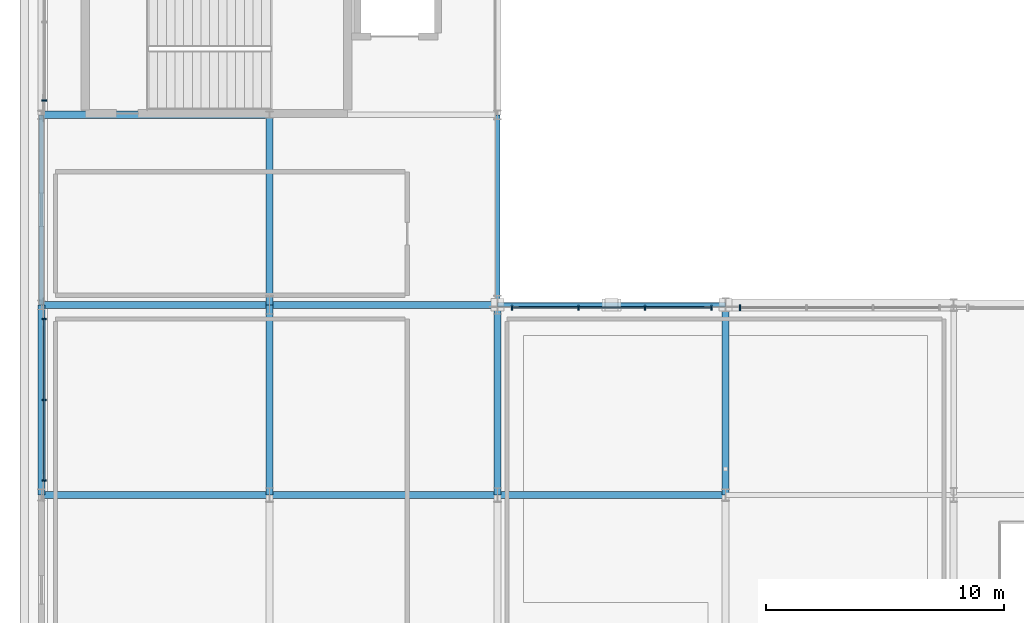
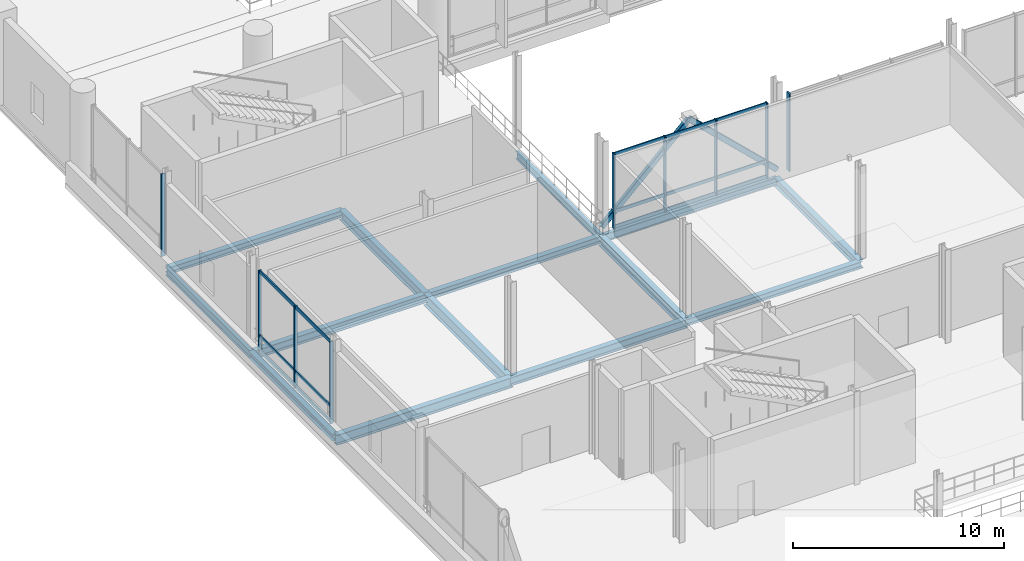
# One storey, part 31 of 129: 17 members, 14 beams, 4 elements without a shape of their own.
"""IFC4 building model written with IfcOpenShell, lengths in metres."""

from ifc_helpers import new_model, si_unit, direction, frame, origin, origin_2d, place, context, subcontext, project, spatial, rectangle, hollow_rectangle, i_section, extrude, material, material_profile, profile_set, type_object, element, aggregate, save


model = new_model("IFC4")

# Units and contexts
model_context = context("Model", 3, precision=1e-05, world=origin(), true_north=direction((0.0, 1.0)))
body_context = subcontext(model_context, "Body", "Model", "MODEL_VIEW")
ifc_project = project(units=[si_unit("LENGTHUNIT", "METRE"), si_unit("AREAUNIT", "SQUARE_METRE"), si_unit("VOLUMEUNIT", "CUBIC_METRE"), si_unit("PLANEANGLEUNIT", "RADIAN"), si_unit("MASSUNIT", "GRAM", prefix="KILO")], contexts=[model_context])

# Site, building, storey
site_placement = place(None, origin())
site = spatial("IfcSite", under=ifc_project, at=site_placement, CompositionType="ELEMENT")
building_placement = place(site_placement, origin())
building = spatial("IfcBuilding", under=site, at=building_placement, Name="Danafjord Basin Convention Centre", CompositionType="ELEMENT")
storey_placement = place(building_placement, frame((0.0, 0.0, 6.0)))
storey = spatial("IfcBuildingStorey", under=building, at=storey_placement, Name="L01", CompositionType="ELEMENT", Elevation=6.0)

# Beams
ifc_material_1 = material(Name="Steel S355", Category="steel")
ifc_material_profile_1 = material_profile(ifc_material_1, i_section(OverallWidth=0.300048828125, OverallDepth=0.389892578125, WebThickness=0.010986328125, FlangeThickness=0.01904296875, FilletRadius=0.027099609375, at=origin_2d()), Name="HEA 400")
ifc_profile_set_1 = profile_set([ifc_material_profile_1], Name="Steel S355")
beam_type_1 = type_object("IfcBeamType", Name="BEAM-BM-HEA400", PredefinedType="BEAM", material=ifc_profile_set_1)
beam_1_placement = place(storey_placement, frame((0.0, 48.0, -0.425048828125), z_axis=(1.0, 0.0, 0.0), x_axis=(0.0, 1.0, 0.0)))
element("IfcBeam", 1, at=beam_1_placement, inside=storey, type_object=beam_type_1, Name="L01 girder BM-HEA400", PredefinedType="BEAM", context=body_context, shape_type="SweptSolid", body=[
    extrude(i_section(OverallWidth=0.300048828125, OverallDepth=0.389892578125, WebThickness=0.010986328125, FlangeThickness=0.01904296875, FilletRadius=0.027099609375, at=origin_2d()), origin(), (0.0, 0.0, 1.0), 9.60009765625),
])
beam_2_placement = place(storey_placement, frame((9.60009765625, 40.0, -0.425048828125), z_axis=(1.0, 0.0, 0.0), x_axis=(0.0, 1.0, 0.0)))
element("IfcBeam", 2, at=beam_2_placement, inside=storey, type_object=beam_type_1, Name="L01 girder BM-HEA400", PredefinedType="BEAM", context=body_context, shape_type="SweptSolid", body=[
    extrude(i_section(OverallWidth=0.300048828125, OverallDepth=0.389892578125, WebThickness=0.010986328125, FlangeThickness=0.01904296875, FilletRadius=0.027099609375, at=origin_2d()), origin(), (0.0, 0.0, 1.0), 9.599853515625),
])
beam_3_placement = place(storey_placement, frame((19.199951171875, 32.0, -0.425048828125), z_axis=(1.0, 0.0, 0.0), x_axis=(0.0, 1.0, 0.0)))
element("IfcBeam", 3, at=beam_3_placement, inside=storey, type_object=beam_type_1, Name="L01 girder BM-HEA400", PredefinedType="BEAM", context=body_context, shape_type="SweptSolid", body=[
    extrude(i_section(OverallWidth=0.300048828125, OverallDepth=0.389892578125, WebThickness=0.010986328125, FlangeThickness=0.01904296875, FilletRadius=0.027099609375, at=origin_2d()), origin(), (0.0, 0.0, 1.0), 9.60009765625),
])
ifc_material_profile_2 = material_profile(ifc_material_1, i_section(OverallWidth=0.300048828125, OverallDepth=0.489990234375, WebThickness=0.011962890625, FlangeThickness=0.02294921875, FilletRadius=0.027099609375, at=origin_2d()), Name="HEA 500")
ifc_profile_set_2 = profile_set([ifc_material_profile_2], Name="Steel S355")
beam_type_2 = type_object("IfcBeamType", Name="BEAM-BM-HEA500", PredefinedType="BEAM", material=ifc_profile_set_2)
beam_4_placement = place(storey_placement, frame((0.0, 40.0, -0.47509765625), z_axis=(1.0, 0.0, 0.0), x_axis=(0.0, 1.0, 0.0)))
element("IfcBeam", 4, at=beam_4_placement, inside=storey, type_object=beam_type_2, Name="L01 girder BM-HEA500", PredefinedType="BEAM", context=body_context, shape_type="SweptSolid", body=[
    extrude(i_section(OverallWidth=0.300048828125, OverallDepth=0.489990234375, WebThickness=0.011962890625, FlangeThickness=0.02294921875, FilletRadius=0.027099609375, at=origin_2d()), origin(), (0.0, 0.0, 1.0), 9.60009765625),
])
beam_5_placement = place(storey_placement, frame((9.60009765625, 32.0, -0.47509765625), z_axis=(1.0, 0.0, 0.0), x_axis=(0.0, 1.0, 0.0)))
element("IfcBeam", 5, at=beam_5_placement, inside=storey, type_object=beam_type_2, Name="L01 girder BM-HEA500", PredefinedType="BEAM", context=body_context, shape_type="SweptSolid", body=[
    extrude(i_section(OverallWidth=0.300048828125, OverallDepth=0.489990234375, WebThickness=0.011962890625, FlangeThickness=0.02294921875, FilletRadius=0.027099609375, at=origin_2d()), origin(), (0.0, 0.0, 1.0), 9.599853515625),
])
ifc_material_profile_3 = material_profile(ifc_material_1, i_section(OverallWidth=0.300048828125, OverallDepth=0.590087890625, WebThickness=0.012939453125, FlangeThickness=0.02490234375, FilletRadius=0.027099609375, at=origin_2d()), Name="HEA 600")
ifc_profile_set_3 = profile_set([ifc_material_profile_3], Name="Steel S355")
beam_type_3 = type_object("IfcBeamType", Name="BEAM-BM-HEA600", PredefinedType="BEAM", material=ifc_profile_set_3)
beam_6_placement = place(storey_placement, frame((0.0, 32.0, -0.52490234375), z_axis=(1.0, 0.0, 0.0), x_axis=(0.0, 1.0, 0.0)))
element("IfcBeam", 6, at=beam_6_placement, inside=storey, type_object=beam_type_3, Name="L01 girder BM-HEA600", PredefinedType="BEAM", context=body_context, shape_type="SweptSolid", body=[
    extrude(i_section(OverallWidth=0.300048828125, OverallDepth=0.590087890625, WebThickness=0.012939453125, FlangeThickness=0.02490234375, FilletRadius=0.027099609375, at=origin_2d()), origin(), (0.0, 0.0, 1.0), 9.60009765625),
])
ifc_material_profile_4 = material_profile(ifc_material_1, i_section(OverallWidth=0.300048828125, OverallDepth=0.5, WebThickness=0.014404296875, FlangeThickness=0.028076171875, FilletRadius=0.027099609375, at=origin_2d()), Name="HEB 500")
ifc_profile_set_4 = profile_set([ifc_material_profile_4], Name="Steel S355")
beam_type_4 = type_object("IfcBeamType", Name="BEAM-BM-HEB500", PredefinedType="BEAM", material=ifc_profile_set_4)
beam_7_placement = place(storey_placement, frame((28.800048828125, 32.0, -0.47998046875), z_axis=(0.0, 1.0, 0.0), x_axis=(-1.0, 0.0, 0.0)))
element("IfcBeam", 7, at=beam_7_placement, inside=storey, type_object=beam_type_4, Name="L01 transverse girder BM-HEB500", PredefinedType="BEAM", context=body_context, shape_type="SweptSolid", body=[
    extrude(i_section(OverallWidth=0.300048828125, OverallDepth=0.5, WebThickness=0.014404296875, FlangeThickness=0.028076171875, FilletRadius=0.027099609375, at=origin_2d()), origin(), (0.0, 0.0, 1.0), 8.0),
])
ifc_material_profile_5 = material_profile(ifc_material_1, i_section(OverallWidth=0.300048828125, OverallDepth=0.60009765625, WebThickness=0.015380859375, FlangeThickness=0.030029296875, FilletRadius=0.027099609375, at=origin_2d()), Name="HEB 600")
ifc_profile_set_5 = profile_set([ifc_material_profile_5], Name="Steel S355")
beam_type_5 = type_object("IfcBeamType", Name="BEAM-BM-HEB600", PredefinedType="BEAM", material=ifc_profile_set_5)
for number, where, z_axis, x_axis, name in (
    (8, (9.60009765625, 40.0, -0.530029296875), (0.0, 1.0, 0.0), (-1.0, 0.0, 0.0), "L01 transverse girder BM-HEB600"),
    (9, (19.199951171875, 32.0, -0.530029296875), (0.0, 1.0, 0.0), (-1.0, 0.0, 0.0), "L01 transverse girder BM-HEB600"),
):
    element("IfcBeam", number, at=place(storey_placement, frame(where, z_axis=z_axis, x_axis=x_axis)), inside=storey, type_object=beam_type_5, Name=name, PredefinedType="BEAM", context=body_context, shape_type="SweptSolid", body=[
        extrude(i_section(OverallWidth=0.300048828125, OverallDepth=0.60009765625, WebThickness=0.015380859375, FlangeThickness=0.030029296875, FilletRadius=0.027099609375, at=origin_2d()), origin(), (0.0, 0.0, 1.0), 8.0),
    ])
ifc_material_profile_6 = material_profile(ifc_material_1, i_section(OverallWidth=0.300048828125, OverallDepth=0.699951171875, WebThickness=0.01708984375, FlangeThickness=0.031982421875, FilletRadius=0.027099609375, at=origin_2d()), Name="HEB 700")
ifc_profile_set_6 = profile_set([ifc_material_profile_6], Name="Steel S355")
beam_type_6 = type_object("IfcBeamType", Name="BEAM-BM-HEB700", PredefinedType="BEAM", material=ifc_profile_set_6)
beam_8_placement = place(storey_placement, frame((9.60009765625, 32.0, -0.580078125), z_axis=(0.0, 1.0, 0.0), x_axis=(-1.0, 0.0, 0.0)))
element("IfcBeam", 10, at=beam_8_placement, inside=storey, type_object=beam_type_6, Name="L01 transverse girder BM-HEB700", PredefinedType="BEAM", context=body_context, shape_type="SweptSolid", body=[
    extrude(i_section(OverallWidth=0.300048828125, OverallDepth=0.699951171875, WebThickness=0.01708984375, FlangeThickness=0.031982421875, FilletRadius=0.027099609375, at=origin_2d()), origin(), (0.0, 0.0, 1.0), 8.0),
])
ifc_material_profile_7 = material_profile(ifc_material_1, i_section(OverallWidth=0.300048828125, OverallDepth=0.39990234375, WebThickness=0.013427734375, FlangeThickness=0.02392578125, FilletRadius=0.027099609375, at=origin_2d()), Name="HEB 400")
ifc_profile_set_7 = profile_set([ifc_material_profile_7], Name="Steel S355")
beam_type_7 = type_object("IfcBeamType", Name="BEAM-SP-HEB400", PredefinedType="SPANDREL", material=ifc_profile_set_7)
beam_9_placement = place(storey_placement, frame((0.0, 32.0, -0.429931640625), z_axis=(0.0, 1.0, 0.0), x_axis=(-1.0, 0.0, 0.0)))
element("IfcBeam", 11, at=beam_9_placement, inside=storey, type_object=beam_type_7, Name="L01 transverse girder SP-HEB400", PredefinedType="SPANDREL", context=body_context, shape_type="SweptSolid", body=[
    extrude(i_section(OverallWidth=0.300048828125, OverallDepth=0.39990234375, WebThickness=0.013427734375, FlangeThickness=0.02392578125, FilletRadius=0.027099609375, at=origin_2d()), origin(), (0.0, 0.0, 1.0), 8.0),
])
ifc_material_profile_8 = material_profile(ifc_material_1, i_section(OverallWidth=0.18994140625, OverallDepth=0.449951171875, WebThickness=0.009521484375, FlangeThickness=0.0146484375, FilletRadius=0.02099609375, at=origin_2d()), Name="IPE 450")
ifc_profile_set_8 = profile_set([ifc_material_profile_8], Name="Steel S355")
beam_type_8 = type_object("IfcBeamType", Name="BEAM-SP-IPE450", PredefinedType="SPANDREL", material=ifc_profile_set_8)
beam_10_placement = place(storey_placement, frame((19.199951171875, 40.0, -0.455078125), z_axis=(1.0, 0.0, 0.0), x_axis=(0.0, 1.0, 0.0)))
element("IfcBeam", 12, at=beam_10_placement, inside=storey, type_object=beam_type_8, Name="L01 girder SP-IPE450", PredefinedType="SPANDREL", context=body_context, shape_type="SweptSolid", body=[
    extrude(i_section(OverallWidth=0.18994140625, OverallDepth=0.449951171875, WebThickness=0.009521484375, FlangeThickness=0.0146484375, FilletRadius=0.02099609375, at=origin_2d()), origin(), (0.0, 0.0, 1.0), 9.60009765625),
])
for number, where, z_axis, x_axis, name in (
    (13, (0.0, 40.0, -0.455078125), (0.0, 1.0, 0.0), (-1.0, 0.0, 0.0), "L01 transverse girder SP-IPE450"),
    (14, (19.199951171875, 40.0, -0.455078125), (0.0, 1.0, 0.0), (-1.0, 0.0, 0.0), "L01 transverse girder SP-IPE450"),
):
    element("IfcBeam", number, at=place(storey_placement, frame(where, z_axis=z_axis, x_axis=x_axis)), inside=storey, type_object=beam_type_8, Name=name, PredefinedType="SPANDREL", context=body_context, shape_type="SweptSolid", body=[
        extrude(i_section(OverallWidth=0.18994140625, OverallDepth=0.449951171875, WebThickness=0.009521484375, FlangeThickness=0.0146484375, FilletRadius=0.02099609375, at=origin_2d()), origin(), (0.0, 0.0, 1.0), 8.0),
    ])

# Members
ifc_material_profile_9 = material_profile(ifc_material_1, hollow_rectangle(XDim=0.199951171875, YDim=0.300048828125, WallThickness=0.012451171875, InnerFilletRadius=0.018798828125, OuterFilletRadius=0.03125, at=origin_2d()), Name="RHS 300x200x12.5")
ifc_profile_set_9 = profile_set([ifc_material_profile_9], Name="Steel S355")
member_type_1 = type_object("IfcMemberType", Name="MEM-BRR-300", PredefinedType="BRACE", material=ifc_profile_set_9)
for number, where, z_axis, x_axis, name in (
    (15, (19.199951171875, 40.0, 0.199951171875), (0.721984383394, 0.0, 0.691909351097), (0.0, 1.0, 0.0), "Diagonal brace BRR-300 (L01 braced frame BF-02 diagonal A)"),
    (16, (28.800048828125, 40.0, 0.199951171875), (-0.721984383394, 0.0, 0.691909351097), (0.0, -1.0, 0.0), "Diagonal brace BRR-300 (L01 braced frame BF-02 diagonal B)"),
):
    element("IfcMember", number, at=place(storey_placement, frame(where, z_axis=z_axis, x_axis=x_axis)), inside=storey, type_object=member_type_1, Name=name, PredefinedType="BRACE", context=body_context, shape_type="SweptSolid", body=[
        extrude(hollow_rectangle(XDim=0.199951171875, YDim=0.300048828125, WallThickness=0.012451171875, InnerFilletRadius=0.018798828125, OuterFilletRadius=0.03125, at=origin_2d()), origin(), (0.0, 0.0, 1.0), 6.6484375),
    ])

# Curtain wall, members
ifc_material_2 = material(Name="Anodised aluminium and triple glazing", Category="aluminium")
curtain_wall_type = type_object("IfcCurtainWallType", Name="CW-CW-TERR", PredefinedType="NOTDEFINED", material=ifc_material_2)
curtain_wall_1_placement = place(storey_placement, origin())
curtain_wall_1 = element("IfcCurtainWall", 17, at=curtain_wall_1_placement, inside=storey, type_object=curtain_wall_type, Name="L01 CW-TERR unitised curtain wall bay 56", PredefinedType="NOTDEFINED")
ifc_material_3 = material(Name="Anodised aluminium EN AW-6060", Category="aluminium")
ifc_material_profile_10 = material_profile(ifc_material_3, rectangle(XDim=0.06005859375, YDim=0.179931640625, at=origin_2d()), Name="MULL 60x180")
ifc_profile_set_10 = profile_set([ifc_material_profile_10], Name="Anodised aluminium EN AW-6060")
member_type_2 = type_object("IfcMemberType", Name="MEM-ML-180", PredefinedType="MULLION", material=ifc_profile_set_10)
member_1_placement = place(storey_placement, frame((0.1201171875, 39.39990234375, -0.02490234375), z_axis=(0.0, 0.0, 1.0), x_axis=(0.0, -1.0, 0.0)))
member_1 = element("IfcMember", 18, at=member_1_placement, type_object=member_type_2, Name="CW-L01-056 mullion 1", PredefinedType="MULLION", context=body_context, shape_type="SweptSolid", body=[
    extrude(rectangle(XDim=0.06005859375, YDim=0.179931640625, at=origin_2d()), origin(), (0.0, 0.0, 1.0), 4.764892578125),
])
member_2_placement = place(storey_placement, frame((0.1201171875, 36.0, -0.02490234375), z_axis=(0.0, 0.0, 1.0), x_axis=(0.0, -1.0, 0.0)))
member_2 = element("IfcMember", 19, at=member_2_placement, type_object=member_type_2, Name="CW-L01-056 mullion 2", PredefinedType="MULLION", context=body_context, shape_type="SweptSolid", body=[
    extrude(rectangle(XDim=0.06005859375, YDim=0.179931640625, at=origin_2d()), origin(), (0.0, 0.0, 1.0), 4.764892578125),
])
member_3_placement = place(storey_placement, frame((0.1201171875, 32.60009765625, -0.02490234375), z_axis=(0.0, 0.0, 1.0), x_axis=(0.0, -1.0, 0.0)))
member_3 = element("IfcMember", 20, at=member_3_placement, type_object=member_type_2, Name="CW-L01-056 mullion 3", PredefinedType="MULLION", context=body_context, shape_type="SweptSolid", body=[
    extrude(rectangle(XDim=0.06005859375, YDim=0.179931640625, at=origin_2d()), origin(), (0.0, 0.0, 1.0), 4.764892578125),
])

curtain_wall_2_placement = place(storey_placement, origin())
curtain_wall_2 = element("IfcCurtainWall", 21, at=curtain_wall_2_placement, inside=storey, type_object=curtain_wall_type, Name="L01 CW-TERR unitised curtain wall bay 47", PredefinedType="NOTDEFINED")
ifc_material_profile_11 = material_profile(ifc_material_3, rectangle(XDim=0.06494140625, YDim=0.219970703125, at=origin_2d()), Name="MULL 65x220")
ifc_profile_set_11 = profile_set([ifc_material_profile_11], Name="Anodised aluminium EN AW-6060")
member_type_3 = type_object("IfcMemberType", Name="MEM-ML-220", PredefinedType="MULLION", material=ifc_profile_set_11)
member_4_placement = place(storey_placement, frame((28.199951171875, 39.8798828125, -0.02490234375), z_axis=(0.0, 0.0, 1.0), x_axis=(-1.0, 0.0, 0.0)))
member_4 = element("IfcMember", 22, at=member_4_placement, type_object=member_type_3, Name="CW-L01-047 mullion 1", PredefinedType="MULLION", context=body_context, shape_type="SweptSolid", body=[
    extrude(rectangle(XDim=0.06494140625, YDim=0.219970703125, at=origin_2d()), origin(), (0.0, 0.0, 1.0), 4.364990234375),
])
member_5_placement = place(storey_placement, frame((25.39990234375, 39.8798828125, -0.02490234375), z_axis=(0.0, 0.0, 1.0), x_axis=(-1.0, 0.0, 0.0)))
member_5 = element("IfcMember", 23, at=member_5_placement, type_object=member_type_3, Name="CW-L01-047 mullion 2", PredefinedType="MULLION", context=body_context, shape_type="SweptSolid", body=[
    extrude(rectangle(XDim=0.06494140625, YDim=0.219970703125, at=origin_2d()), origin(), (0.0, 0.0, 1.0), 4.364990234375),
])
member_6_placement = place(storey_placement, frame((22.60009765625, 39.8798828125, -0.02490234375), z_axis=(0.0, 0.0, 1.0), x_axis=(-1.0, 0.0, 0.0)))
member_6 = element("IfcMember", 24, at=member_6_placement, type_object=member_type_3, Name="CW-L01-047 mullion 3", PredefinedType="MULLION", context=body_context, shape_type="SweptSolid", body=[
    extrude(rectangle(XDim=0.06494140625, YDim=0.219970703125, at=origin_2d()), origin(), (0.0, 0.0, 1.0), 4.364990234375),
])
member_7_placement = place(storey_placement, frame((19.800048828125, 39.8798828125, -0.02490234375), z_axis=(0.0, 0.0, 1.0), x_axis=(-1.0, 0.0, 0.0)))
member_7 = element("IfcMember", 25, at=member_7_placement, type_object=member_type_3, Name="CW-L01-047 mullion 4", PredefinedType="MULLION", context=body_context, shape_type="SweptSolid", body=[
    extrude(rectangle(XDim=0.06494140625, YDim=0.219970703125, at=origin_2d()), origin(), (0.0, 0.0, 1.0), 4.364990234375),
])

# Curtain wall, member
curtain_wall_3_placement = place(storey_placement, origin())
curtain_wall_3 = element("IfcCurtainWall", 26, at=curtain_wall_3_placement, inside=storey, type_object=curtain_wall_type, Name="L01 CW-TERR unitised curtain wall bay 57", PredefinedType="NOTDEFINED")
member_8_placement = place(storey_placement, frame((0.1201171875, 48.60009765625, -0.02490234375), z_axis=(0.0, 0.0, 1.0), x_axis=(0.0, -1.0, 0.0)))
member_8 = element("IfcMember", 27, at=member_8_placement, type_object=member_type_3, Name="CW-L01-057 mullion 3", PredefinedType="MULLION", context=body_context, shape_type="SweptSolid", body=[
    extrude(rectangle(XDim=0.06494140625, YDim=0.219970703125, at=origin_2d()), origin(), (0.0, 0.0, 1.0), 4.784912109375),
])
aggregate(curtain_wall_3, [member_8])

curtain_wall_4_placement = place(storey_placement, origin())
curtain_wall_4 = element("IfcCurtainWall", 28, at=curtain_wall_4_placement, inside=storey, type_object=curtain_wall_type, Name="L01 CW-TERR unitised curtain wall bay 48", PredefinedType="NOTDEFINED")
ifc_material_profile_12 = material_profile(ifc_material_3, rectangle(XDim=0.070068359375, YDim=0.260009765625, at=origin_2d()), Name="MULL 70x260")
ifc_profile_set_12 = profile_set([ifc_material_profile_12], Name="Anodised aluminium EN AW-6060")
member_type_4 = type_object("IfcMemberType", Name="MEM-ML-260", PredefinedType="MULLION", material=ifc_profile_set_12)
member_9_placement = place(storey_placement, frame((29.39990234375, 39.8798828125, -0.02490234375), z_axis=(0.0, 0.0, 1.0), x_axis=(-1.0, 0.0, 0.0)))
member_9 = element("IfcMember", 29, at=member_9_placement, type_object=member_type_4, Name="CW-L01-048 mullion 4", PredefinedType="MULLION", context=body_context, shape_type="SweptSolid", body=[
    extrude(rectangle(XDim=0.070068359375, YDim=0.260009765625, at=origin_2d()), origin(), (0.0, 0.0, 1.0), 4.514892578125),
])
aggregate(curtain_wall_4, [member_9])

# Member
ifc_material_profile_13 = material_profile(ifc_material_3, rectangle(XDim=0.06494140625, YDim=0.18994140625, at=origin_2d()), Name="TRAN 65x190")
ifc_profile_set_13 = profile_set([ifc_material_profile_13], Name="Anodised aluminium EN AW-6060")
member_type_5 = type_object("IfcMemberType", Name="MEM-TR-190", PredefinedType="USERDEFINED", material=ifc_profile_set_13)
member_10_placement = place(storey_placement, frame((28.199951171875, 39.8798828125, 0.06005859375), z_axis=(-1.0, 0.0, 0.0), x_axis=(0.0, -1.0, 0.0)))
member_10 = element("IfcMember", 30, at=member_10_placement, type_object=member_type_5, Name="CW-L01-047 transom 1", ObjectType="TRANSOM", PredefinedType="USERDEFINED", context=body_context, shape_type="SweptSolid", body=[
    extrude(rectangle(XDim=0.06494140625, YDim=0.18994140625, at=origin_2d()), origin(), (0.0, 0.0, 1.0), 8.39990234375),
])

member_11_placement = place(storey_placement, frame((28.199951171875, 39.8798828125, 0.949951171875), z_axis=(-1.0, 0.0, 0.0), x_axis=(0.0, -1.0, 0.0)))
member_11 = element("IfcMember", 31, at=member_11_placement, type_object=member_type_5, Name="CW-L01-047 transom 2", ObjectType="TRANSOM", PredefinedType="USERDEFINED", context=body_context, shape_type="SweptSolid", body=[
    extrude(rectangle(XDim=0.06494140625, YDim=0.18994140625, at=origin_2d()), origin(), (0.0, 0.0, 1.0), 8.39990234375),
])

member_12_placement = place(storey_placement, frame((28.199951171875, 39.8798828125, 4.27001953125), z_axis=(-1.0, 0.0, 0.0), x_axis=(0.0, -1.0, 0.0)))
member_12 = element("IfcMember", 32, at=member_12_placement, type_object=member_type_5, Name="CW-L01-047 transom 3", ObjectType="TRANSOM", PredefinedType="USERDEFINED", context=body_context, shape_type="SweptSolid", body=[
    extrude(rectangle(XDim=0.06494140625, YDim=0.18994140625, at=origin_2d()), origin(), (0.0, 0.0, 1.0), 8.39990234375),
])

aggregate(curtain_wall_2, [member_4, member_5, member_6, member_7, member_10, member_11, member_12])

member_13_placement = place(storey_placement, frame((0.1201171875, 39.39990234375, 0.06005859375), z_axis=(0.0, -1.0, 0.0), x_axis=(1.0, 0.0, 0.0)))
member_13 = element("IfcMember", 33, at=member_13_placement, type_object=member_type_5, Name="CW-L01-056 transom 1", ObjectType="TRANSOM", PredefinedType="USERDEFINED", context=body_context, shape_type="SweptSolid", body=[
    extrude(rectangle(XDim=0.06494140625, YDim=0.18994140625, at=origin_2d()), origin(), (0.0, 0.0, 1.0), 6.7998046875),
])

member_14_placement = place(storey_placement, frame((0.1201171875, 39.39990234375, 0.949951171875), z_axis=(0.0, -1.0, 0.0), x_axis=(1.0, 0.0, 0.0)))
member_14 = element("IfcMember", 34, at=member_14_placement, type_object=member_type_5, Name="CW-L01-056 transom 2", ObjectType="TRANSOM", PredefinedType="USERDEFINED", context=body_context, shape_type="SweptSolid", body=[
    extrude(rectangle(XDim=0.06494140625, YDim=0.18994140625, at=origin_2d()), origin(), (0.0, 0.0, 1.0), 6.7998046875),
])

member_15_placement = place(storey_placement, frame((0.1201171875, 39.39990234375, 4.669921875), z_axis=(0.0, -1.0, 0.0), x_axis=(1.0, 0.0, 0.0)))
member_15 = element("IfcMember", 35, at=member_15_placement, type_object=member_type_5, Name="CW-L01-056 transom 3", ObjectType="TRANSOM", PredefinedType="USERDEFINED", context=body_context, shape_type="SweptSolid", body=[
    extrude(rectangle(XDim=0.06494140625, YDim=0.18994140625, at=origin_2d()), origin(), (0.0, 0.0, 1.0), 6.7998046875),
])

aggregate(curtain_wall_1, [member_1, member_2, member_3, member_13, member_14, member_15])

save(model, "model.ifc")
